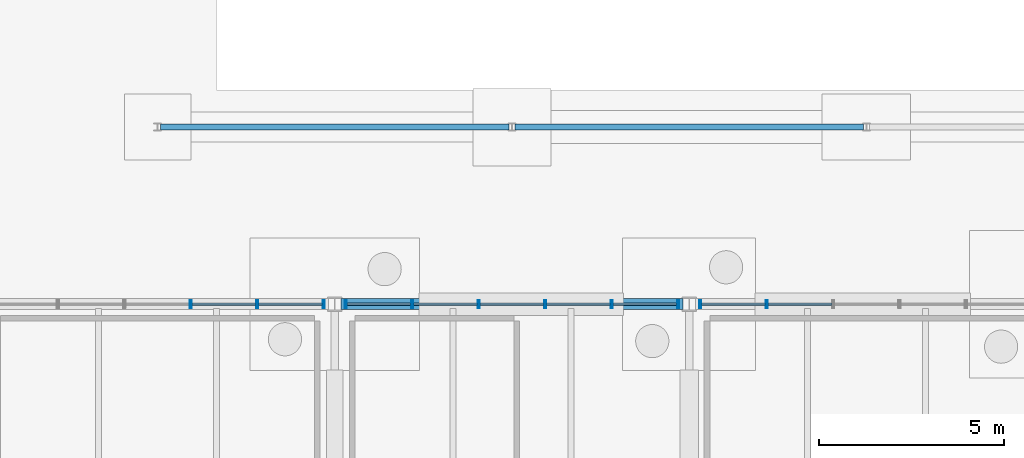
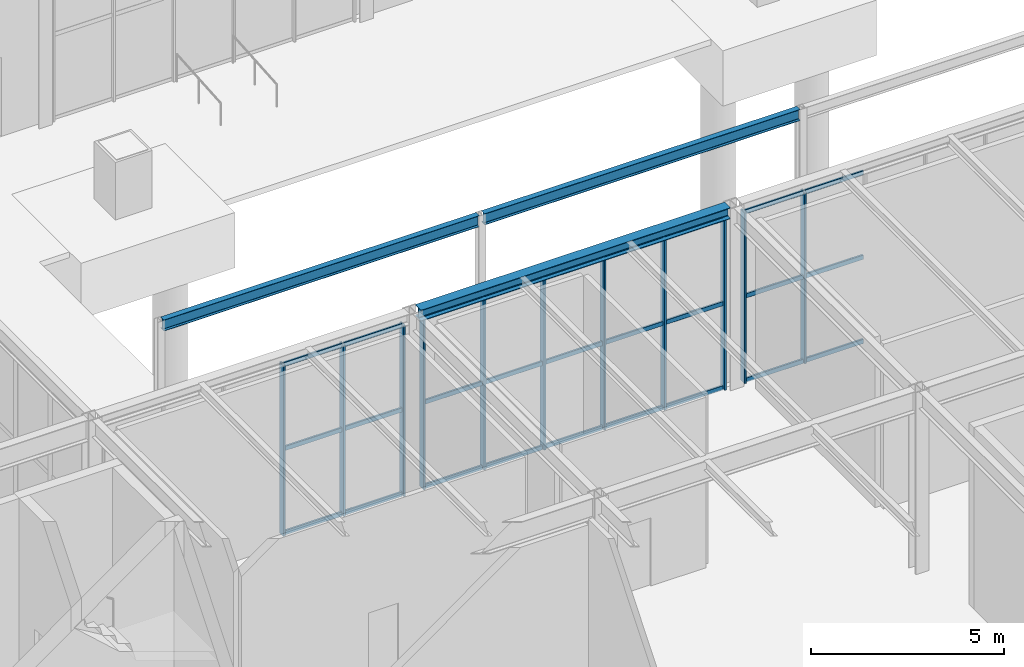
# One storey, part 61 of 142: 38 members, 3 beams, 3 elements without a shape of their own.
"""IFC4 building model written with IfcOpenShell, lengths in metres."""

from ifc_helpers import new_model, si_unit, direction, frame, origin, origin_2d, place, context, subcontext, project, spatial, hollow_rectangle, i_section, extrude, material, material_profile, profile_set, type_object, element, aggregate, save


model = new_model("IFC4")

# Units and contexts
model_context = context("Model", 3, precision=1e-05, world=origin(), true_north=direction((0.0, 1.0)))
body_context = subcontext(model_context, "Body", "Model", "MODEL_VIEW")
ifc_project = project(units=[si_unit("LENGTHUNIT", "METRE"), si_unit("AREAUNIT", "SQUARE_METRE"), si_unit("VOLUMEUNIT", "CUBIC_METRE"), si_unit("PLANEANGLEUNIT", "RADIAN"), si_unit("MASSUNIT", "GRAM", prefix="KILO")], contexts=[model_context])

# Site, building, storey
site_placement = place(None, origin())
site = spatial("IfcSite", under=ifc_project, at=site_placement, CompositionType="ELEMENT")
building_placement = place(site_placement, origin())
building = spatial("IfcBuilding", under=site, at=building_placement, Name="Coralgate Yard Interchange", CompositionType="ELEMENT")
storey_placement = place(building_placement, origin())
storey = spatial("IfcBuildingStorey", under=building, at=storey_placement, Name="L00", CompositionType="ELEMENT", Elevation=0.0)

# Beams
ifc_material_1 = material(Name="Structural steel S355J2", Category="steel")
ifc_material_profile_1 = material_profile(ifc_material_1, i_section(OverallWidth=0.17138671875, OverallDepth=0.35498046875, WebThickness=0.00732421875, FlangeThickness=0.011474609375, FilletRadius=0.01025390625, at=origin_2d()), Name="UB 356x171x51")
ifc_profile_set_1 = profile_set([ifc_material_profile_1], Name="Structural steel S355J2")
beam_type_1 = type_object("IfcBeamType", Name="BM-SB-4", PredefinedType="BEAM", material=ifc_profile_set_1)
for number, where, z_axis, x_axis, name in (
    (1, (62.47998046875, 24.0, 4.0224609375), (1.0, 0.0, 0.0), (0.0, 1.0, 0.0), "Courtyard colonnade canopy beam 1"),
    (2, (72.080078125, 24.0, 4.0224609375), (1.0, 0.0, 0.0), (0.0, 1.0, 0.0), "Courtyard colonnade canopy beam 2"),
):
    element("IfcBeam", number, at=place(storey_placement, frame(where, z_axis=z_axis, x_axis=x_axis)), inside=storey, type_object=beam_type_1, Name=name, PredefinedType="BEAM", context=body_context, shape_type="SweptSolid", body=[
        extrude(i_section(OverallWidth=0.17138671875, OverallDepth=0.35498046875, WebThickness=0.00732421875, FlangeThickness=0.011474609375, FilletRadius=0.01025390625, at=origin_2d()), origin(), (0.0, 0.0, 1.0), 9.43994140625),
    ])
ifc_material_profile_2 = material_profile(ifc_material_1, i_section(OverallWidth=0.300048828125, OverallDepth=0.35009765625, WebThickness=0.010009765625, FlangeThickness=0.017578125, FilletRadius=0.027099609375, at=origin_2d()), Name="HEA 360")
ifc_profile_set_2 = profile_set([ifc_material_profile_2], Name="Structural steel S355J2")
beam_type_2 = type_object("IfcBeamType", Name="BM-SP-1", PredefinedType="SPANDREL", material=ifc_profile_set_2)
beam_placement = place(storey_placement, frame((67.369384765625, 19.199951171875, 5.574951171875), z_axis=(1.0, 0.0, 0.0), x_axis=(0.0, 1.0, 0.0)))
element("IfcBeam", 3, at=beam_placement, inside=storey, type_object=beam_type_2, Name="L00 primary grid beam Y2 X7-8", PredefinedType="SPANDREL", context=body_context, shape_type="SweptSolid", body=[
    extrude(i_section(OverallWidth=0.300048828125, OverallDepth=0.35009765625, WebThickness=0.010009765625, FlangeThickness=0.017578125, FilletRadius=0.027099609375, at=origin_2d()), origin(), (0.0, 0.0, 1.0), 9.26123046875),
])

# Curtain wall, members
ifc_material_2 = material(Name="Anodised coastal aluminium and solar-control low-E glass", Category="aluminium")
curtain_wall_type = type_object("IfcCurtainWallType", Name="CW-CW-L00-B", PredefinedType="NOTDEFINED", material=ifc_material_2)
curtain_wall_1_placement = place(storey_placement, origin())
curtain_wall_1 = element("IfcCurtainWall", 4, at=curtain_wall_1_placement, inside=storey, type_object=curtain_wall_type, Name="L00 unitised curtain wall CW-L00-N-06-01", PredefinedType="NOTDEFINED")
ifc_material_3 = material(Name="Anodised coastal aluminium 6063-T6", Category="aluminium")
ifc_material_profile_3 = material_profile(ifc_material_3, hollow_rectangle(XDim=0.06005859375, YDim=0.219970703125, WallThickness=0.00390625, InnerFilletRadius=0.00390625, OuterFilletRadius=0.008056640625, at=origin_2d()), Name="ALU 60x220x4")
ifc_profile_set_3 = profile_set([ifc_material_profile_3], Name="Anodised coastal aluminium 6063-T6")
member_type_1 = type_object("IfcMemberType", Name="MB-MUL-220", PredefinedType="MULLION", material=ifc_profile_set_3)
member_1_placement = place(storey_placement, frame((63.300048828125, 19.199951171875, 0.0), z_axis=(0.0, 0.0, 1.0), x_axis=(1.0, 0.0, 0.0)))
member_1 = element("IfcMember", 5, at=member_1_placement, type_object=member_type_1, Name="CW-L00-N-06-01 vertical mullion 4", PredefinedType="MULLION", context=body_context, shape_type="SweptSolid", body=[
    extrude(hollow_rectangle(XDim=0.06005859375, YDim=0.219970703125, WallThickness=0.00390625, InnerFilletRadius=0.00390625, OuterFilletRadius=0.008056640625, at=origin_2d()), origin(), (0.0, 0.0, 1.0), 5.39990234375),
])
member_2_placement = place(storey_placement, frame((65.10009765625, 19.199951171875, 0.0), z_axis=(0.0, 0.0, 1.0), x_axis=(1.0, 0.0, 0.0)))
member_2 = element("IfcMember", 6, at=member_2_placement, type_object=member_type_1, Name="CW-L00-N-06-01 vertical mullion 5", PredefinedType="MULLION", context=body_context, shape_type="SweptSolid", body=[
    extrude(hollow_rectangle(XDim=0.06005859375, YDim=0.219970703125, WallThickness=0.00390625, InnerFilletRadius=0.00390625, OuterFilletRadius=0.008056640625, at=origin_2d()), origin(), (0.0, 0.0, 1.0), 5.39990234375),
])
member_3_placement = place(storey_placement, frame((66.89990234375, 19.199951171875, 0.0), z_axis=(0.0, 0.0, 1.0), x_axis=(1.0, 0.0, 0.0)))
member_3 = element("IfcMember", 7, at=member_3_placement, type_object=member_type_1, Name="CW-L00-N-06-01 vertical mullion 6", PredefinedType="MULLION", context=body_context, shape_type="SweptSolid", body=[
    extrude(hollow_rectangle(XDim=0.06005859375, YDim=0.219970703125, WallThickness=0.00390625, InnerFilletRadius=0.00390625, OuterFilletRadius=0.008056640625, at=origin_2d()), origin(), (0.0, 0.0, 1.0), 5.39990234375),
])

curtain_wall_2_placement = place(storey_placement, origin())
curtain_wall_2 = element("IfcCurtainWall", 8, at=curtain_wall_2_placement, inside=storey, type_object=curtain_wall_type, Name="L00 unitised curtain wall CW-L00-N-07-01", PredefinedType="NOTDEFINED")
member_4_placement = place(storey_placement, frame((67.5, 19.199951171875, 0.0), z_axis=(0.0, 0.0, 1.0), x_axis=(1.0, 0.0, 0.0)))
member_4 = element("IfcMember", 9, at=member_4_placement, type_object=member_type_1, Name="CW-L00-N-07-01 vertical mullion 1", PredefinedType="MULLION", context=body_context, shape_type="SweptSolid", body=[
    extrude(hollow_rectangle(XDim=0.06005859375, YDim=0.219970703125, WallThickness=0.00390625, InnerFilletRadius=0.00390625, OuterFilletRadius=0.008056640625, at=origin_2d()), origin(), (0.0, 0.0, 1.0), 5.39990234375),
])
member_5_placement = place(storey_placement, frame((69.300048828125, 19.199951171875, 0.0), z_axis=(0.0, 0.0, 1.0), x_axis=(1.0, 0.0, 0.0)))
member_5 = element("IfcMember", 10, at=member_5_placement, type_object=member_type_1, Name="CW-L00-N-07-01 vertical mullion 2", PredefinedType="MULLION", context=body_context, shape_type="SweptSolid", body=[
    extrude(hollow_rectangle(XDim=0.06005859375, YDim=0.219970703125, WallThickness=0.00390625, InnerFilletRadius=0.00390625, OuterFilletRadius=0.008056640625, at=origin_2d()), origin(), (0.0, 0.0, 1.0), 5.39990234375),
])
member_6_placement = place(storey_placement, frame((71.10009765625, 19.199951171875, 0.0), z_axis=(0.0, 0.0, 1.0), x_axis=(1.0, 0.0, 0.0)))
member_6 = element("IfcMember", 11, at=member_6_placement, type_object=member_type_1, Name="CW-L00-N-07-01 vertical mullion 3", PredefinedType="MULLION", context=body_context, shape_type="SweptSolid", body=[
    extrude(hollow_rectangle(XDim=0.06005859375, YDim=0.219970703125, WallThickness=0.00390625, InnerFilletRadius=0.00390625, OuterFilletRadius=0.008056640625, at=origin_2d()), origin(), (0.0, 0.0, 1.0), 5.39990234375),
])
member_7_placement = place(storey_placement, frame((72.89990234375, 19.199951171875, 0.0), z_axis=(0.0, 0.0, 1.0), x_axis=(1.0, 0.0, 0.0)))
member_7 = element("IfcMember", 12, at=member_7_placement, type_object=member_type_1, Name="CW-L00-N-07-01 vertical mullion 4", PredefinedType="MULLION", context=body_context, shape_type="SweptSolid", body=[
    extrude(hollow_rectangle(XDim=0.06005859375, YDim=0.219970703125, WallThickness=0.00390625, InnerFilletRadius=0.00390625, OuterFilletRadius=0.008056640625, at=origin_2d()), origin(), (0.0, 0.0, 1.0), 5.39990234375),
])
member_8_placement = place(storey_placement, frame((74.699951171875, 19.199951171875, 0.0), z_axis=(0.0, 0.0, 1.0), x_axis=(1.0, 0.0, 0.0)))
member_8 = element("IfcMember", 13, at=member_8_placement, type_object=member_type_1, Name="CW-L00-N-07-01 vertical mullion 5", PredefinedType="MULLION", context=body_context, shape_type="SweptSolid", body=[
    extrude(hollow_rectangle(XDim=0.06005859375, YDim=0.219970703125, WallThickness=0.00390625, InnerFilletRadius=0.00390625, OuterFilletRadius=0.008056640625, at=origin_2d()), origin(), (0.0, 0.0, 1.0), 5.39990234375),
])
member_9_placement = place(storey_placement, frame((76.5, 19.199951171875, 0.0), z_axis=(0.0, 0.0, 1.0), x_axis=(1.0, 0.0, 0.0)))
member_9 = element("IfcMember", 14, at=member_9_placement, type_object=member_type_1, Name="CW-L00-N-07-01 vertical mullion 6", PredefinedType="MULLION", context=body_context, shape_type="SweptSolid", body=[
    extrude(hollow_rectangle(XDim=0.06005859375, YDim=0.219970703125, WallThickness=0.00390625, InnerFilletRadius=0.00390625, OuterFilletRadius=0.008056640625, at=origin_2d()), origin(), (0.0, 0.0, 1.0), 5.39990234375),
])

curtain_wall_3_placement = place(storey_placement, origin())
curtain_wall_3 = element("IfcCurtainWall", 15, at=curtain_wall_3_placement, inside=storey, type_object=curtain_wall_type, Name="L00 unitised curtain wall CW-L00-N-08-01", PredefinedType="NOTDEFINED")
member_10_placement = place(storey_placement, frame((77.10009765625, 19.199951171875, 0.0), z_axis=(0.0, 0.0, 1.0), x_axis=(1.0, 0.0, 0.0)))
member_10 = element("IfcMember", 16, at=member_10_placement, type_object=member_type_1, Name="CW-L00-N-08-01 vertical mullion 1", PredefinedType="MULLION", context=body_context, shape_type="SweptSolid", body=[
    extrude(hollow_rectangle(XDim=0.06005859375, YDim=0.219970703125, WallThickness=0.00390625, InnerFilletRadius=0.00390625, OuterFilletRadius=0.008056640625, at=origin_2d()), origin(), (0.0, 0.0, 1.0), 5.39990234375),
])
member_11_placement = place(storey_placement, frame((78.89990234375, 19.199951171875, 0.0), z_axis=(0.0, 0.0, 1.0), x_axis=(1.0, 0.0, 0.0)))
member_11 = element("IfcMember", 17, at=member_11_placement, type_object=member_type_1, Name="CW-L00-N-08-01 vertical mullion 2", PredefinedType="MULLION", context=body_context, shape_type="SweptSolid", body=[
    extrude(hollow_rectangle(XDim=0.06005859375, YDim=0.219970703125, WallThickness=0.00390625, InnerFilletRadius=0.00390625, OuterFilletRadius=0.008056640625, at=origin_2d()), origin(), (0.0, 0.0, 1.0), 5.39990234375),
])

# Member
ifc_material_profile_4 = material_profile(ifc_material_3, hollow_rectangle(XDim=0.06005859375, YDim=0.139892578125, WallThickness=0.00341796875, InnerFilletRadius=0.00341796875, OuterFilletRadius=0.007080078125, at=origin_2d()), Name="ALU 60x140x3.5")
ifc_profile_set_4 = profile_set([ifc_material_profile_4], Name="Anodised coastal aluminium 6063-T6")
member_type_2 = type_object("IfcMemberType", Name="MB-TRN-140", PredefinedType="USERDEFINED", material=ifc_profile_set_4)
member_12_placement = place(storey_placement, frame((63.330078125, 19.199951171875, 0.034912109375), z_axis=(1.0, 0.0, 0.0), x_axis=(0.0, 1.0, 0.0)))
member_12 = element("IfcMember", 18, at=member_12_placement, type_object=member_type_2, Name="CW-L00-N-06-01 horizontal transom 4-1", ObjectType="TRANSOM", PredefinedType="USERDEFINED", context=body_context, shape_type="SweptSolid", body=[
    extrude(hollow_rectangle(XDim=0.06005859375, YDim=0.139892578125, WallThickness=0.00341796875, InnerFilletRadius=0.00341796875, OuterFilletRadius=0.007080078125, at=origin_2d()), origin(), (0.0, 0.0, 1.0), 1.739990234375),
])

member_13_placement = place(storey_placement, frame((63.330078125, 19.199951171875, 2.699951171875), z_axis=(1.0, 0.0, 0.0), x_axis=(0.0, 1.0, 0.0)))
member_13 = element("IfcMember", 19, at=member_13_placement, type_object=member_type_2, Name="CW-L00-N-06-01 horizontal transom 4-2", ObjectType="TRANSOM", PredefinedType="USERDEFINED", context=body_context, shape_type="SweptSolid", body=[
    extrude(hollow_rectangle(XDim=0.06005859375, YDim=0.139892578125, WallThickness=0.00341796875, InnerFilletRadius=0.00341796875, OuterFilletRadius=0.007080078125, at=origin_2d()), origin(), (0.0, 0.0, 1.0), 1.739990234375),
])

member_14_placement = place(storey_placement, frame((63.330078125, 19.199951171875, 5.364990234375), z_axis=(1.0, 0.0, 0.0), x_axis=(0.0, 1.0, 0.0)))
member_14 = element("IfcMember", 20, at=member_14_placement, type_object=member_type_2, Name="CW-L00-N-06-01 horizontal transom 4-3", ObjectType="TRANSOM", PredefinedType="USERDEFINED", context=body_context, shape_type="SweptSolid", body=[
    extrude(hollow_rectangle(XDim=0.06005859375, YDim=0.139892578125, WallThickness=0.00341796875, InnerFilletRadius=0.00341796875, OuterFilletRadius=0.007080078125, at=origin_2d()), origin(), (0.0, 0.0, 1.0), 1.739990234375),
])

member_15_placement = place(storey_placement, frame((65.1298828125, 19.199951171875, 0.034912109375), z_axis=(1.0, 0.0, 0.0), x_axis=(0.0, 1.0, 0.0)))
member_15 = element("IfcMember", 21, at=member_15_placement, type_object=member_type_2, Name="CW-L00-N-06-01 horizontal transom 5-1", ObjectType="TRANSOM", PredefinedType="USERDEFINED", context=body_context, shape_type="SweptSolid", body=[
    extrude(hollow_rectangle(XDim=0.06005859375, YDim=0.139892578125, WallThickness=0.00341796875, InnerFilletRadius=0.00341796875, OuterFilletRadius=0.007080078125, at=origin_2d()), origin(), (0.0, 0.0, 1.0), 1.740234375),
])

member_16_placement = place(storey_placement, frame((65.1298828125, 19.199951171875, 2.699951171875), z_axis=(1.0, 0.0, 0.0), x_axis=(0.0, 1.0, 0.0)))
member_16 = element("IfcMember", 22, at=member_16_placement, type_object=member_type_2, Name="CW-L00-N-06-01 horizontal transom 5-2", ObjectType="TRANSOM", PredefinedType="USERDEFINED", context=body_context, shape_type="SweptSolid", body=[
    extrude(hollow_rectangle(XDim=0.06005859375, YDim=0.139892578125, WallThickness=0.00341796875, InnerFilletRadius=0.00341796875, OuterFilletRadius=0.007080078125, at=origin_2d()), origin(), (0.0, 0.0, 1.0), 1.740234375),
])

member_17_placement = place(storey_placement, frame((65.1298828125, 19.199951171875, 5.364990234375), z_axis=(1.0, 0.0, 0.0), x_axis=(0.0, 1.0, 0.0)))
member_17 = element("IfcMember", 23, at=member_17_placement, type_object=member_type_2, Name="CW-L00-N-06-01 horizontal transom 5-3", ObjectType="TRANSOM", PredefinedType="USERDEFINED", context=body_context, shape_type="SweptSolid", body=[
    extrude(hollow_rectangle(XDim=0.06005859375, YDim=0.139892578125, WallThickness=0.00341796875, InnerFilletRadius=0.00341796875, OuterFilletRadius=0.007080078125, at=origin_2d()), origin(), (0.0, 0.0, 1.0), 1.740234375),
])

aggregate(curtain_wall_1, [member_1, member_2, member_3, member_12, member_13, member_14, member_15, member_16, member_17])

member_18_placement = place(storey_placement, frame((67.530029296875, 19.199951171875, 0.034912109375), z_axis=(1.0, 0.0, 0.0), x_axis=(0.0, 1.0, 0.0)))
member_18 = element("IfcMember", 24, at=member_18_placement, type_object=member_type_2, Name="CW-L00-N-07-01 horizontal transom 1-1", ObjectType="TRANSOM", PredefinedType="USERDEFINED", context=body_context, shape_type="SweptSolid", body=[
    extrude(hollow_rectangle(XDim=0.06005859375, YDim=0.139892578125, WallThickness=0.00341796875, InnerFilletRadius=0.00341796875, OuterFilletRadius=0.007080078125, at=origin_2d()), origin(), (0.0, 0.0, 1.0), 1.739990234375),
])

member_19_placement = place(storey_placement, frame((67.530029296875, 19.199951171875, 2.699951171875), z_axis=(1.0, 0.0, 0.0), x_axis=(0.0, 1.0, 0.0)))
member_19 = element("IfcMember", 25, at=member_19_placement, type_object=member_type_2, Name="CW-L00-N-07-01 horizontal transom 1-2", ObjectType="TRANSOM", PredefinedType="USERDEFINED", context=body_context, shape_type="SweptSolid", body=[
    extrude(hollow_rectangle(XDim=0.06005859375, YDim=0.139892578125, WallThickness=0.00341796875, InnerFilletRadius=0.00341796875, OuterFilletRadius=0.007080078125, at=origin_2d()), origin(), (0.0, 0.0, 1.0), 1.739990234375),
])

member_20_placement = place(storey_placement, frame((67.530029296875, 19.199951171875, 5.364990234375), z_axis=(1.0, 0.0, 0.0), x_axis=(0.0, 1.0, 0.0)))
member_20 = element("IfcMember", 26, at=member_20_placement, type_object=member_type_2, Name="CW-L00-N-07-01 horizontal transom 1-3", ObjectType="TRANSOM", PredefinedType="USERDEFINED", context=body_context, shape_type="SweptSolid", body=[
    extrude(hollow_rectangle(XDim=0.06005859375, YDim=0.139892578125, WallThickness=0.00341796875, InnerFilletRadius=0.00341796875, OuterFilletRadius=0.007080078125, at=origin_2d()), origin(), (0.0, 0.0, 1.0), 1.739990234375),
])

member_21_placement = place(storey_placement, frame((69.330078125, 19.199951171875, 0.034912109375), z_axis=(1.0, 0.0, 0.0), x_axis=(0.0, 1.0, 0.0)))
member_21 = element("IfcMember", 27, at=member_21_placement, type_object=member_type_2, Name="CW-L00-N-07-01 horizontal transom 2-1", ObjectType="TRANSOM", PredefinedType="USERDEFINED", context=body_context, shape_type="SweptSolid", body=[
    extrude(hollow_rectangle(XDim=0.06005859375, YDim=0.139892578125, WallThickness=0.00341796875, InnerFilletRadius=0.00341796875, OuterFilletRadius=0.007080078125, at=origin_2d()), origin(), (0.0, 0.0, 1.0), 1.739990234375),
])

member_22_placement = place(storey_placement, frame((69.330078125, 19.199951171875, 2.699951171875), z_axis=(1.0, 0.0, 0.0), x_axis=(0.0, 1.0, 0.0)))
member_22 = element("IfcMember", 28, at=member_22_placement, type_object=member_type_2, Name="CW-L00-N-07-01 horizontal transom 2-2", ObjectType="TRANSOM", PredefinedType="USERDEFINED", context=body_context, shape_type="SweptSolid", body=[
    extrude(hollow_rectangle(XDim=0.06005859375, YDim=0.139892578125, WallThickness=0.00341796875, InnerFilletRadius=0.00341796875, OuterFilletRadius=0.007080078125, at=origin_2d()), origin(), (0.0, 0.0, 1.0), 1.739990234375),
])

member_23_placement = place(storey_placement, frame((69.330078125, 19.199951171875, 5.364990234375), z_axis=(1.0, 0.0, 0.0), x_axis=(0.0, 1.0, 0.0)))
member_23 = element("IfcMember", 29, at=member_23_placement, type_object=member_type_2, Name="CW-L00-N-07-01 horizontal transom 2-3", ObjectType="TRANSOM", PredefinedType="USERDEFINED", context=body_context, shape_type="SweptSolid", body=[
    extrude(hollow_rectangle(XDim=0.06005859375, YDim=0.139892578125, WallThickness=0.00341796875, InnerFilletRadius=0.00341796875, OuterFilletRadius=0.007080078125, at=origin_2d()), origin(), (0.0, 0.0, 1.0), 1.739990234375),
])

member_24_placement = place(storey_placement, frame((71.1298828125, 19.199951171875, 0.034912109375), z_axis=(1.0, 0.0, 0.0), x_axis=(0.0, 1.0, 0.0)))
member_24 = element("IfcMember", 30, at=member_24_placement, type_object=member_type_2, Name="CW-L00-N-07-01 horizontal transom 3-1", ObjectType="TRANSOM", PredefinedType="USERDEFINED", context=body_context, shape_type="SweptSolid", body=[
    extrude(hollow_rectangle(XDim=0.06005859375, YDim=0.139892578125, WallThickness=0.00341796875, InnerFilletRadius=0.00341796875, OuterFilletRadius=0.007080078125, at=origin_2d()), origin(), (0.0, 0.0, 1.0), 1.740234375),
])

member_25_placement = place(storey_placement, frame((71.1298828125, 19.199951171875, 2.699951171875), z_axis=(1.0, 0.0, 0.0), x_axis=(0.0, 1.0, 0.0)))
member_25 = element("IfcMember", 31, at=member_25_placement, type_object=member_type_2, Name="CW-L00-N-07-01 horizontal transom 3-2", ObjectType="TRANSOM", PredefinedType="USERDEFINED", context=body_context, shape_type="SweptSolid", body=[
    extrude(hollow_rectangle(XDim=0.06005859375, YDim=0.139892578125, WallThickness=0.00341796875, InnerFilletRadius=0.00341796875, OuterFilletRadius=0.007080078125, at=origin_2d()), origin(), (0.0, 0.0, 1.0), 1.740234375),
])

member_26_placement = place(storey_placement, frame((71.1298828125, 19.199951171875, 5.364990234375), z_axis=(1.0, 0.0, 0.0), x_axis=(0.0, 1.0, 0.0)))
member_26 = element("IfcMember", 32, at=member_26_placement, type_object=member_type_2, Name="CW-L00-N-07-01 horizontal transom 3-3", ObjectType="TRANSOM", PredefinedType="USERDEFINED", context=body_context, shape_type="SweptSolid", body=[
    extrude(hollow_rectangle(XDim=0.06005859375, YDim=0.139892578125, WallThickness=0.00341796875, InnerFilletRadius=0.00341796875, OuterFilletRadius=0.007080078125, at=origin_2d()), origin(), (0.0, 0.0, 1.0), 1.740234375),
])

member_27_placement = place(storey_placement, frame((72.929931640625, 19.199951171875, 0.034912109375), z_axis=(1.0, 0.0, 0.0), x_axis=(0.0, 1.0, 0.0)))
member_27 = element("IfcMember", 33, at=member_27_placement, type_object=member_type_2, Name="CW-L00-N-07-01 horizontal transom 4-1", ObjectType="TRANSOM", PredefinedType="USERDEFINED", context=body_context, shape_type="SweptSolid", body=[
    extrude(hollow_rectangle(XDim=0.06005859375, YDim=0.139892578125, WallThickness=0.00341796875, InnerFilletRadius=0.00341796875, OuterFilletRadius=0.007080078125, at=origin_2d()), origin(), (0.0, 0.0, 1.0), 1.739990234375),
])

member_28_placement = place(storey_placement, frame((72.929931640625, 19.199951171875, 2.699951171875), z_axis=(1.0, 0.0, 0.0), x_axis=(0.0, 1.0, 0.0)))
member_28 = element("IfcMember", 34, at=member_28_placement, type_object=member_type_2, Name="CW-L00-N-07-01 horizontal transom 4-2", ObjectType="TRANSOM", PredefinedType="USERDEFINED", context=body_context, shape_type="SweptSolid", body=[
    extrude(hollow_rectangle(XDim=0.06005859375, YDim=0.139892578125, WallThickness=0.00341796875, InnerFilletRadius=0.00341796875, OuterFilletRadius=0.007080078125, at=origin_2d()), origin(), (0.0, 0.0, 1.0), 1.739990234375),
])

member_29_placement = place(storey_placement, frame((72.929931640625, 19.199951171875, 5.364990234375), z_axis=(1.0, 0.0, 0.0), x_axis=(0.0, 1.0, 0.0)))
member_29 = element("IfcMember", 35, at=member_29_placement, type_object=member_type_2, Name="CW-L00-N-07-01 horizontal transom 4-3", ObjectType="TRANSOM", PredefinedType="USERDEFINED", context=body_context, shape_type="SweptSolid", body=[
    extrude(hollow_rectangle(XDim=0.06005859375, YDim=0.139892578125, WallThickness=0.00341796875, InnerFilletRadius=0.00341796875, OuterFilletRadius=0.007080078125, at=origin_2d()), origin(), (0.0, 0.0, 1.0), 1.739990234375),
])

member_30_placement = place(storey_placement, frame((74.72998046875, 19.199951171875, 0.034912109375), z_axis=(1.0, 0.0, 0.0), x_axis=(0.0, 1.0, 0.0)))
member_30 = element("IfcMember", 36, at=member_30_placement, type_object=member_type_2, Name="CW-L00-N-07-01 horizontal transom 5-1", ObjectType="TRANSOM", PredefinedType="USERDEFINED", context=body_context, shape_type="SweptSolid", body=[
    extrude(hollow_rectangle(XDim=0.06005859375, YDim=0.139892578125, WallThickness=0.00341796875, InnerFilletRadius=0.00341796875, OuterFilletRadius=0.007080078125, at=origin_2d()), origin(), (0.0, 0.0, 1.0), 1.739990234375),
])

member_31_placement = place(storey_placement, frame((74.72998046875, 19.199951171875, 2.699951171875), z_axis=(1.0, 0.0, 0.0), x_axis=(0.0, 1.0, 0.0)))
member_31 = element("IfcMember", 37, at=member_31_placement, type_object=member_type_2, Name="CW-L00-N-07-01 horizontal transom 5-2", ObjectType="TRANSOM", PredefinedType="USERDEFINED", context=body_context, shape_type="SweptSolid", body=[
    extrude(hollow_rectangle(XDim=0.06005859375, YDim=0.139892578125, WallThickness=0.00341796875, InnerFilletRadius=0.00341796875, OuterFilletRadius=0.007080078125, at=origin_2d()), origin(), (0.0, 0.0, 1.0), 1.739990234375),
])

member_32_placement = place(storey_placement, frame((74.72998046875, 19.199951171875, 5.364990234375), z_axis=(1.0, 0.0, 0.0), x_axis=(0.0, 1.0, 0.0)))
member_32 = element("IfcMember", 38, at=member_32_placement, type_object=member_type_2, Name="CW-L00-N-07-01 horizontal transom 5-3", ObjectType="TRANSOM", PredefinedType="USERDEFINED", context=body_context, shape_type="SweptSolid", body=[
    extrude(hollow_rectangle(XDim=0.06005859375, YDim=0.139892578125, WallThickness=0.00341796875, InnerFilletRadius=0.00341796875, OuterFilletRadius=0.007080078125, at=origin_2d()), origin(), (0.0, 0.0, 1.0), 1.739990234375),
])

aggregate(curtain_wall_2, [member_4, member_5, member_6, member_7, member_8, member_9, member_18, member_19, member_20, member_21, member_22, member_23, member_24, member_25, member_26, member_27, member_28, member_29, member_30, member_31, member_32])

member_33_placement = place(storey_placement, frame((77.1298828125, 19.199951171875, 0.034912109375), z_axis=(1.0, 0.0, 0.0), x_axis=(0.0, 1.0, 0.0)))
member_33 = element("IfcMember", 39, at=member_33_placement, type_object=member_type_2, Name="CW-L00-N-08-01 horizontal transom 1-1", ObjectType="TRANSOM", PredefinedType="USERDEFINED", context=body_context, shape_type="SweptSolid", body=[
    extrude(hollow_rectangle(XDim=0.06005859375, YDim=0.139892578125, WallThickness=0.00341796875, InnerFilletRadius=0.00341796875, OuterFilletRadius=0.007080078125, at=origin_2d()), origin(), (0.0, 0.0, 1.0), 1.740234375),
])

member_34_placement = place(storey_placement, frame((77.1298828125, 19.199951171875, 2.699951171875), z_axis=(1.0, 0.0, 0.0), x_axis=(0.0, 1.0, 0.0)))
member_34 = element("IfcMember", 40, at=member_34_placement, type_object=member_type_2, Name="CW-L00-N-08-01 horizontal transom 1-2", ObjectType="TRANSOM", PredefinedType="USERDEFINED", context=body_context, shape_type="SweptSolid", body=[
    extrude(hollow_rectangle(XDim=0.06005859375, YDim=0.139892578125, WallThickness=0.00341796875, InnerFilletRadius=0.00341796875, OuterFilletRadius=0.007080078125, at=origin_2d()), origin(), (0.0, 0.0, 1.0), 1.740234375),
])

member_35_placement = place(storey_placement, frame((77.1298828125, 19.199951171875, 5.364990234375), z_axis=(1.0, 0.0, 0.0), x_axis=(0.0, 1.0, 0.0)))
member_35 = element("IfcMember", 41, at=member_35_placement, type_object=member_type_2, Name="CW-L00-N-08-01 horizontal transom 1-3", ObjectType="TRANSOM", PredefinedType="USERDEFINED", context=body_context, shape_type="SweptSolid", body=[
    extrude(hollow_rectangle(XDim=0.06005859375, YDim=0.139892578125, WallThickness=0.00341796875, InnerFilletRadius=0.00341796875, OuterFilletRadius=0.007080078125, at=origin_2d()), origin(), (0.0, 0.0, 1.0), 1.740234375),
])

member_36_placement = place(storey_placement, frame((78.929931640625, 19.199951171875, 0.034912109375), z_axis=(1.0, 0.0, 0.0), x_axis=(0.0, 1.0, 0.0)))
member_36 = element("IfcMember", 42, at=member_36_placement, type_object=member_type_2, Name="CW-L00-N-08-01 horizontal transom 2-1", ObjectType="TRANSOM", PredefinedType="USERDEFINED", context=body_context, shape_type="SweptSolid", body=[
    extrude(hollow_rectangle(XDim=0.06005859375, YDim=0.139892578125, WallThickness=0.00341796875, InnerFilletRadius=0.00341796875, OuterFilletRadius=0.007080078125, at=origin_2d()), origin(), (0.0, 0.0, 1.0), 1.739990234375),
])

member_37_placement = place(storey_placement, frame((78.929931640625, 19.199951171875, 2.699951171875), z_axis=(1.0, 0.0, 0.0), x_axis=(0.0, 1.0, 0.0)))
member_37 = element("IfcMember", 43, at=member_37_placement, type_object=member_type_2, Name="CW-L00-N-08-01 horizontal transom 2-2", ObjectType="TRANSOM", PredefinedType="USERDEFINED", context=body_context, shape_type="SweptSolid", body=[
    extrude(hollow_rectangle(XDim=0.06005859375, YDim=0.139892578125, WallThickness=0.00341796875, InnerFilletRadius=0.00341796875, OuterFilletRadius=0.007080078125, at=origin_2d()), origin(), (0.0, 0.0, 1.0), 1.739990234375),
])

member_38_placement = place(storey_placement, frame((78.929931640625, 19.199951171875, 5.364990234375), z_axis=(1.0, 0.0, 0.0), x_axis=(0.0, 1.0, 0.0)))
member_38 = element("IfcMember", 44, at=member_38_placement, type_object=member_type_2, Name="CW-L00-N-08-01 horizontal transom 2-3", ObjectType="TRANSOM", PredefinedType="USERDEFINED", context=body_context, shape_type="SweptSolid", body=[
    extrude(hollow_rectangle(XDim=0.06005859375, YDim=0.139892578125, WallThickness=0.00341796875, InnerFilletRadius=0.00341796875, OuterFilletRadius=0.007080078125, at=origin_2d()), origin(), (0.0, 0.0, 1.0), 1.739990234375),
])

aggregate(curtain_wall_3, [member_10, member_11, member_33, member_34, member_35, member_36, member_37, member_38])

save(model, "model.ifc")
